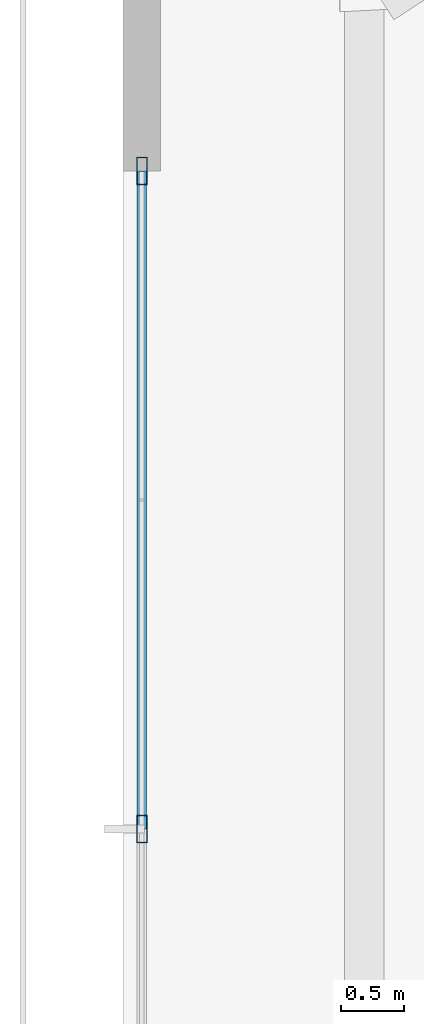
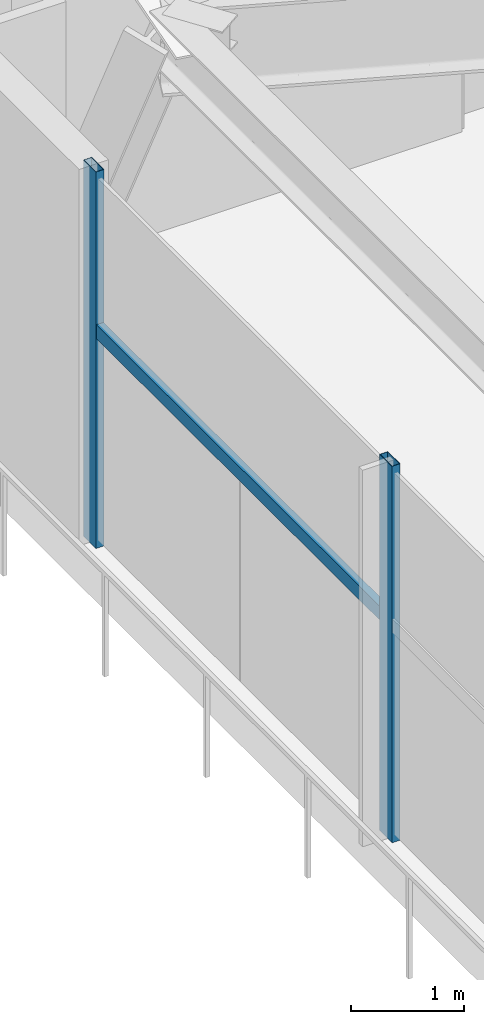
# One storey, part 10 of 36: 3 members, 1 element without a shape of its own.
"""IFC4 building model written with IfcOpenShell, lengths in metres."""

from ifc_helpers import new_model, si_unit, direction, frame, origin, origin_2d, place, context, subcontext, project, spatial, hollow_rectangle, extrude, source, transform, mapped, material, material_profile, profile_set, type_object, type_shapes, element, aggregate, save


model = new_model("IFC4")

# Units and contexts
model_context = context("Model", 3, precision=1e-05, world=origin(), true_north=direction((0.0, 1.0)))
body_context = subcontext(model_context, "Body", "Model", "MODEL_VIEW")
ifc_project = project(units=[si_unit("LENGTHUNIT", "METRE"), si_unit("AREAUNIT", "SQUARE_METRE"), si_unit("VOLUMEUNIT", "CUBIC_METRE"), si_unit("PLANEANGLEUNIT", "RADIAN"), si_unit("MASSUNIT", "GRAM", prefix="KILO")], contexts=[model_context])

# Site, building, storey
site_placement = place(None, origin())
site = spatial("IfcSite", under=ifc_project, at=site_placement, CompositionType="ELEMENT")
building_placement = place(site_placement, origin())
building = spatial("IfcBuilding", under=site, at=building_placement, Name="Astriad Promenade Condominiums", CompositionType="ELEMENT")
storey_placement = place(building_placement, frame((0.0, 0.0, 5.0)))
storey = spatial("IfcBuildingStorey", under=building, at=storey_placement, Name="L01", CompositionType="ELEMENT", Elevation=5.0)

# Curtain wall, members
ifc_material_1 = material(Name="Anodised aluminium Black Dark Glass Unitised", Category="aluminium")
curtain_wall_type = type_object("IfcCurtainWallType", Name="CW-POD-DARK", PredefinedType="USERDEFINED", material=ifc_material_1)
curtain_wall_placement = place(storey_placement, origin())
curtain_wall = element("IfcCurtainWall", 1, at=curtain_wall_placement, inside=storey, type_object=curtain_wall_type, Name="CW-L01-W", ObjectType="UNITISED_CURTAIN_WALL", PredefinedType="USERDEFINED")
ifc_material_2 = material(Name="Anodised aluminium 6063-T6 Black", Category="aluminium")
ifc_material_profile_1 = material_profile(ifc_material_2, hollow_rectangle(XDim=0.0849609375, YDim=0.219970703125, WallThickness=0.0048828125, at=origin_2d()), Name="ALU-MUL-85X220")
ifc_profile_set_1 = profile_set([ifc_material_profile_1], Name="Anodised aluminium 6063-T6 Black")
member_type_1 = type_object("IfcMemberType", Name="MUL-ALU-MUL-85X220", PredefinedType="MULLION", material=ifc_profile_set_1)
shared_shape_1 = source(origin(), body_context, "Body", "SweptSolid", [
    extrude(hollow_rectangle(XDim=0.0849609375, YDim=0.219970703125, WallThickness=0.0048828125, at=origin_2d()), origin(), (0.0, 0.0, 1.0), 4.080078125),
])
type_shapes(member_type_1, [shared_shape_1])
member_1_placement = place(storey_placement, frame((1.949951171875, 26.18994140625, 0.0), z_axis=(0.0, 0.0, 1.0), x_axis=(1.0, 0.0, 0.0)))
member_1 = element("IfcMember", 2, at=member_1_placement, type_object=member_type_1, Name="CW-L01-W-MUL-04", PredefinedType="MULLION", context=body_context, shape_type="MappedRepresentation", body=[
    mapped(shared_shape_1, transform((0.0, 0.0, 0.0), scale=1.0)),
])
member_2_placement = place(storey_placement, frame((1.949951171875, 31.449951171875, 0.0), z_axis=(0.0, 0.0, 1.0), x_axis=(1.0, 0.0, 0.0)))
member_2 = element("IfcMember", 3, at=member_2_placement, type_object=member_type_1, Name="CW-L01-W-MUL-05", PredefinedType="MULLION", context=body_context, shape_type="MappedRepresentation", body=[
    mapped(shared_shape_1, transform((0.0, 0.0, 0.0), scale=1.0)),
])
ifc_material_profile_2 = material_profile(ifc_material_2, hollow_rectangle(XDim=0.074951171875, YDim=0.14990234375, WallThickness=0.004150390625, at=origin_2d()), Name="ALU-TRN-75X150")
ifc_profile_set_2 = profile_set([ifc_material_profile_2], Name="Anodised aluminium 6063-T6 Black")
member_type_2 = type_object("IfcMemberType", Name="TRN-ALU-TRN-75X150", PredefinedType="USERDEFINED", material=ifc_profile_set_2)
shared_shape_2 = source(origin(), body_context, "Body", "SweptSolid", [
    extrude(hollow_rectangle(XDim=0.074951171875, YDim=0.14990234375, WallThickness=0.004150390625, at=origin_2d()), origin(), (0.0, 0.0, 1.0), 5.260009765625),
])
type_shapes(member_type_2, [shared_shape_2])
member_3_placement = place(storey_placement, frame((1.949951171875, 26.18994140625, 2.35009765625), z_axis=(0.0, 1.0, 0.0), x_axis=(-1.0, 0.0, 0.0)))
member_3 = element("IfcMember", 4, at=member_3_placement, type_object=member_type_2, Name="CW-L01-W-TRN-04-0", ObjectType="TRANSOM", PredefinedType="USERDEFINED", context=body_context, shape_type="MappedRepresentation", body=[
    mapped(shared_shape_2, transform((0.0, 0.0, 0.0), scale=1.0)),
])
aggregate(curtain_wall, [member_1, member_2, member_3])

save(model, "model.ifc")
